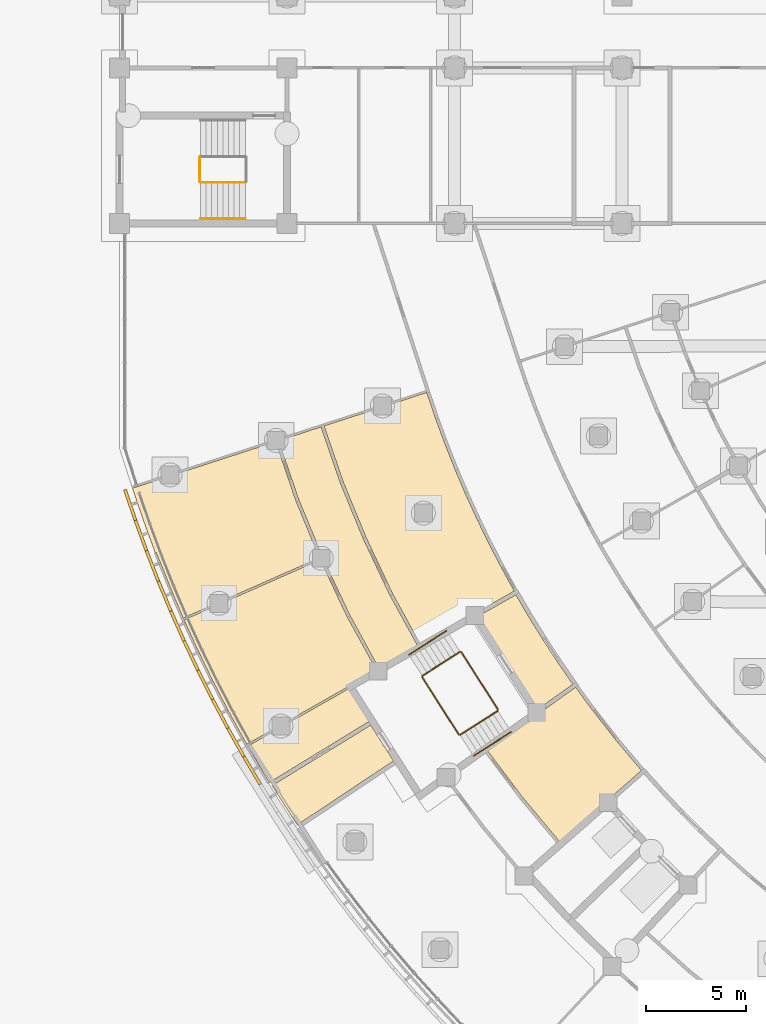
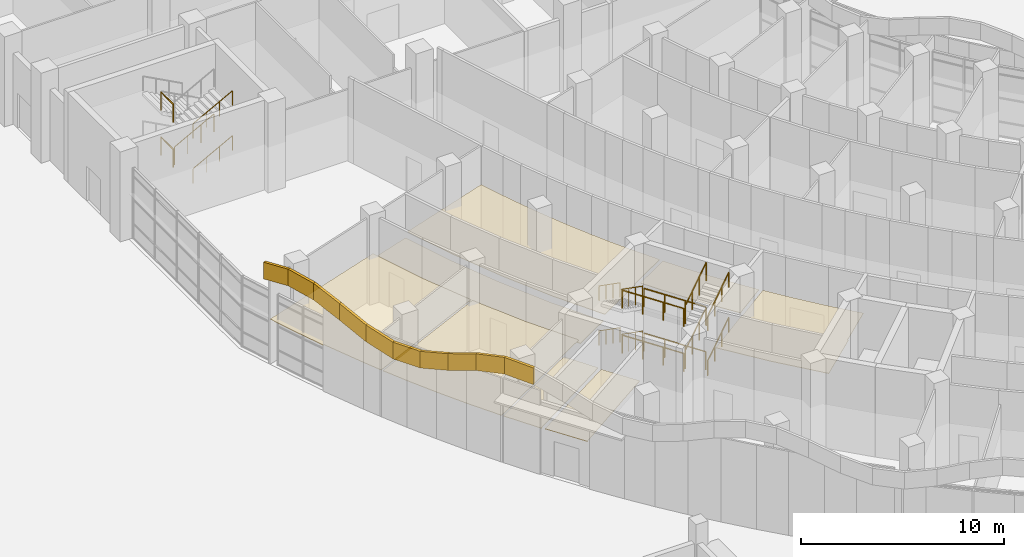
# One storey, part 125 of 146: 18 coverings, 17 railings.
"""IFC4 building model written with IfcOpenShell, lengths in metres."""

import ifcopenshell
import ifcopenshell.guid

model = None  # the IFC model being written
_history = None  # IfcOwnerHistory: only IFC2X3 demands one
_inside = {}  # id of a spatial element -> (the spatial element, [elements in it])
_under = {}  # id of a project, library or spatial element -> (it, [spatial elements below it])
_declared = {}  # id of a project -> (the project, [libraries it declares])
_typed = {}  # id of a type object -> (the type object, [elements of that type])
_made_of = {}  # id of a material, layer set ... -> (it, [elements and type objects made of it])


def new_model(schema):
    """Start an empty IFC model of exactly this schema.

    Asked for "IFC4X3", IfcOpenShell would pick the latest addendum, in which some entities
    have other attributes; the version numbers below select the first issue.
    IFC2X3 requires an IfcOwnerHistory on every rooted entity: one is made here for all.
    """
    global model, _history
    if schema == "IFC4X3":
        model = ifcopenshell.file(schema_version=(4, 3, 0, 0))
    else:
        model = ifcopenshell.file(schema=schema)
    _inside.clear()
    _under.clear()
    _declared.clear()
    _typed.clear()
    _made_of.clear()
    _history = None
    if model.schema == "IFC2X3":
        org = make("IfcOrganization", Name="unknown")
        user = make(
            "IfcPersonAndOrganization",
            ThePerson=make("IfcPerson", FamilyName="unknown"),
            TheOrganization=org,
        )
        app = make(
            "IfcApplication",
            ApplicationDeveloper=org,
            Version="unknown",
            ApplicationFullName="unknown",
            ApplicationIdentifier="unknown",
        )
        _history = make(
            "IfcOwnerHistory",
            OwningUser=user,
            OwningApplication=app,
            ChangeAction="ADDED",
            CreationDate=0,
        )
    return model


def make(cls, **values):
    """One entity of the class cls with the attributes given. An attribute that is None is left unset."""
    return model.create_entity(
        cls, **{name: value for name, value in values.items() if value is not None}
    )


def rooted(cls, **values):
    """An entity with a GlobalId (a new one), such as an element, a storey or a relation."""
    return make(cls, GlobalId=ifcopenshell.guid.new(), OwnerHistory=_history, **values)


def si_unit(unit_type, name, prefix=None):
    """IfcSIUnit, for example si_unit("LENGTHUNIT", "METRE", prefix="MILLI")."""
    return make("IfcSIUnit", UnitType=unit_type, Prefix=prefix, Name=name)


def assignment(units):
    """IfcUnitAssignment: the units of a project."""
    return None if units is None else make("IfcUnitAssignment", Units=units)


def point(xyz):
    """IfcCartesianPoint."""
    return None if xyz is None else make("IfcCartesianPoint", Coordinates=xyz)


def direction(xyz):
    """IfcDirection."""
    return None if xyz is None else make("IfcDirection", DirectionRatios=xyz)


def frame(location, z_axis=None, x_axis=None):
    """IfcAxis2Placement3D, a coordinate frame: its origin and axes. An axis left out is left unset."""
    return make(
        "IfcAxis2Placement3D",
        Location=point(location),
        Axis=direction(z_axis),
        RefDirection=direction(x_axis),
    )


def frame_2d(location, x_axis=None):
    """IfcAxis2Placement2D, a coordinate frame in the plane: its origin and x axis."""
    return make(
        "IfcAxis2Placement2D", Location=point(location), RefDirection=direction(x_axis)
    )


def origin():
    """The frame at (0, 0, 0) with its axes left unset."""
    return frame((0.0, 0.0, 0.0))


def origin_2d():
    """The frame at (0, 0) in the plane with its x axis left unset."""
    return frame_2d((0.0, 0.0))


def place(relative_to, where):
    """IfcLocalPlacement: puts the frame where relative to a parent placement (None: the world)."""
    return make(
        "IfcLocalPlacement", PlacementRelTo=relative_to, RelativePlacement=where
    )


def context(
    kind, dimensions, precision=None, world=None, true_north=None, identifier=None
):
    """IfcGeometricRepresentationContext, for example the 3D "Model" context."""
    return make(
        "IfcGeometricRepresentationContext",
        ContextIdentifier=identifier,
        ContextType=kind,
        CoordinateSpaceDimension=dimensions,
        Precision=precision,
        WorldCoordinateSystem=world,
        TrueNorth=true_north,
    )


def subcontext(parent, identifier, kind, view, scale=None):
    """IfcGeometricRepresentationSubContext, for example "Body" below "Model"."""
    return make(
        "IfcGeometricRepresentationSubContext",
        ContextIdentifier=identifier,
        ContextType=kind,
        ParentContext=parent,
        TargetScale=scale,
        TargetView=view,
    )


def project(units=None, contexts=None):
    """IfcProject with its units and contexts."""
    return rooted(
        "IfcProject",
        Name="project",
        RepresentationContexts=contexts,
        UnitsInContext=assignment(units),
    )


def spatial(cls, under=None, at=None, **own):
    """A site, building, storey or space (cls), placed at a placement, below another one or the project."""
    s = rooted(cls, ObjectPlacement=at, **own)
    if under is not None:
        _under.setdefault(under.id(), (under, []))[1].append(s)
    return s


def polyline(points):
    """IfcPolyline through the points."""
    return make("IfcPolyline", Points=[point(p) for p in points])


def profile(cls, at=None, kind="AREA", **sizes):
    """A parametric profile (cls). Its sizes go by their IFC names, for example OverallWidth=200.0."""
    return make(cls, ProfileType=kind, Position=at, **sizes)


def circle(**sizes):
    """IfcCircleProfileDef."""
    return profile("IfcCircleProfileDef", **sizes)


def outline(outer, holes=None, kind="AREA"):
    """IfcArbitraryClosedProfileDef: a profile drawn as a closed curve; with holes, ...WithVoids."""
    if holes is None:
        return make("IfcArbitraryClosedProfileDef", ProfileType=kind, OuterCurve=outer)
    return make(
        "IfcArbitraryProfileDefWithVoids",
        ProfileType=kind,
        OuterCurve=outer,
        InnerCurves=holes,
    )


def extrude(swept, where, along, depth):
    """IfcExtrudedAreaSolid: the profile swept, set in the frame where, extruded along a direction by depth."""
    return make(
        "IfcExtrudedAreaSolid",
        SweptArea=swept,
        Position=where,
        ExtrudedDirection=direction(along),
        Depth=depth,
    )


def shape(context_of_items, identifier, shape_type, items):
    """IfcShapeRepresentation: the items that make up one representation, for example the "Body"."""
    return make(
        "IfcShapeRepresentation",
        ContextOfItems=context_of_items,
        RepresentationIdentifier=identifier,
        RepresentationType=shape_type,
        Items=items,
    )


def material(Name=None, Category=None):
    """IfcMaterial."""
    return make("IfcMaterial", Name=Name, Category=Category)


def layer(
    of_material, thickness, ventilated=None, Name=None, Category=None, Priority=None
):
    """IfcMaterialLayer: one layer of a wall or slab, of a material (None: an air gap)."""
    return make(
        "IfcMaterialLayer",
        Material=of_material,
        LayerThickness=thickness,
        IsVentilated=ventilated,
        Name=Name,
        Category=Category,
        Priority=Priority,
    )


def layer_set(layers, Name=None):
    """IfcMaterialLayerSet."""
    return make("IfcMaterialLayerSet", MaterialLayers=layers, LayerSetName=Name)


def made_of(thing, what):
    """Note that an element or type object is made of a material, layer set ...; save() writes the relation."""
    if what is not None:
        _made_of.setdefault(what.id(), (what, []))[1].append(thing)
    return thing


def type_object(cls, material=None, **own):
    """A type object (cls), such as IfcWallType, which elements share."""
    return made_of(rooted(cls, **own), material)


def element(
    cls,
    number,
    at=None,
    inside=None,
    cuts=None,
    type_object=None,
    material=None,
    context=None,
    identifier="Body",
    shape_type=None,
    held_by="IfcProductDefinitionShape",
    body=None,
    shapes=None,
    **own,
):
    """One element of the class cls, such as IfcWall. Its Tag is "e" and its number.

    at: its placement. inside: the storey or other place that contains it. cuts: it is an
    opening in that element (IfcRelVoidsElement). A single representation is given by context,
    identifier, shape_type and body (its items); several are given by shapes. held_by: the class
    of the entity that holds the representations. save() writes the other relations.
    """
    e = rooted(cls, Tag="e%d" % number, ObjectPlacement=at, **own)
    if body is not None:
        shapes = [shape(context, identifier, shape_type, body)]
    if shapes is not None:
        e.Representation = make(held_by, Representations=shapes)
    if inside is not None:
        _inside.setdefault(inside.id(), (inside, []))[1].append(e)
    if cuts is not None:
        rooted(
            "IfcRelVoidsElement", RelatingBuildingElement=cuts, RelatedOpeningElement=e
        )
    if type_object is not None:
        _typed.setdefault(type_object.id(), (type_object, []))[1].append(e)
    return made_of(e, material)


def aggregate(whole, parts):
    """IfcRelAggregates: a whole, such as a stair, and the parts it consists of."""
    return rooted("IfcRelAggregates", RelatingObject=whole, RelatedObjects=parts)


def save(model, path):
    """Write the relations noted so far, then the file.

    IfcRelAggregates (storeys below a building ...), IfcRelContainedInSpatialStructure (elements
    in a storey), IfcRelDefinesByType, IfcRelAssociatesMaterial and IfcRelDeclares: one each for
    every whole, place, type object, material and project.
    """
    for whole, parts in _under.values():
        aggregate(whole, parts)
    for where, things in _inside.values():
        rooted(
            "IfcRelContainedInSpatialStructure",
            RelatedElements=things,
            RelatingStructure=where,
        )
    for kind, things in _typed.values():
        rooted("IfcRelDefinesByType", RelatedObjects=things, RelatingType=kind)
    for what, things in _made_of.values():
        rooted("IfcRelAssociatesMaterial", RelatedObjects=things, RelatingMaterial=what)
    for by, libraries in _declared.values():
        rooted("IfcRelDeclares", RelatingContext=by, RelatedDefinitions=libraries)
    model.write(path)


model = new_model("IFC4")

# Units and contexts
model_context = context("Model", 3, precision=1e-05, world=origin(), true_north=direction((0.0, 1.0)))
body_context = subcontext(model_context, "Body", "Model", "MODEL_VIEW")
ifc_project = project(units=[si_unit("LENGTHUNIT", "METRE"), si_unit("AREAUNIT", "SQUARE_METRE"), si_unit("VOLUMEUNIT", "CUBIC_METRE"), si_unit("PLANEANGLEUNIT", "RADIAN"), si_unit("MASSUNIT", "GRAM", prefix="KILO")], contexts=[model_context])

# Site, building, storey
site_placement = place(None, origin())
site = spatial("IfcSite", under=ifc_project, at=site_placement, CompositionType="ELEMENT")
building_placement = place(site_placement, origin())
building = spatial("IfcBuilding", under=site, at=building_placement, Name="Bougainvillea Quay General Hospital", CompositionType="ELEMENT")
storey_placement = place(building_placement, origin())
storey = spatial("IfcBuildingStorey", under=building, at=storey_placement, Name="L00", CompositionType="ELEMENT", Elevation=0.0)

# Coverings
ifc_material_1 = material(Name="Powder-coated aluminium fascia, red", Category="aluminium")
ifc_layer_1 = layer(ifc_material_1, 0.14990234375)
ifc_layer_set_1 = layer_set([ifc_layer_1], Name="Powder-coated aluminium fascia, red")
covering_type_1 = type_object("IfcCoveringType", Name="Aluminium wave fascia ribbon red 150x1000", PredefinedType="CLADDING", material=ifc_layer_set_1)
covering_1_placement = place(storey_placement, frame((42.341796875, 104.27294921875, 5.351806640625), z_axis=(-0.064326485516, 0.189792207855, 0.979714765173), x_axis=(0.313516289904, -0.928196422613, 0.200396948614)))
element("IfcCovering", 1, at=covering_1_placement, inside=storey, type_object=covering_type_1, Name="Fascia ribbon red a01 1", PredefinedType="CLADDING", context=body_context, shape_type="SweptSolid", body=[
    extrude(outline(polyline([(0.0, 0.0), (1.6602376930096736, 5.551115123125783e-17), (1.6618941438384893, -0.15001520818557562), (-0.00013183151657268632, -0.14993090059663047), (0.0, 0.0)])), origin(), (0.200396948614, 0.000204664875, 0.979714765173), 1.0),
])
covering_2_placement = place(storey_placement, frame((42.8623046875, 102.73193359375, 5.6845703125), z_axis=(0.024962656332, -0.066272330461, 0.99748927012), x_axis=(0.341089072489, -0.937359973238, -0.070813312302)))
element("IfcCovering", 2, at=covering_2_placement, inside=storey, type_object=covering_type_1, Name="Fascia ribbon red a01 2", PredefinedType="CLADDING", context=body_context, shape_type="SweptSolid", body=[
    extrude(outline(polyline([(0.0, 0.0), (1.6340987145070769, -1.146543797403421e-17), (1.6358762773760467, -0.150034492772957), (-0.0018599611300739412, -0.1500128341607131), (0.0, 0.0)])), origin(), (-0.070813312302, -0.000794227143, 0.99748927012), 1.0),
])
covering_3_placement = place(storey_placement, frame((43.419677734375, 101.2001953125, 5.568603515625), z_axis=(0.105694176169, -0.272877085057, 0.95622530691), x_axis=(0.347713538028, -0.89076521729, -0.292630523253)))
element("IfcCovering", 3, at=covering_3_placement, inside=storey, type_object=covering_type_1, Name="Fascia ribbon red a01 3", PredefinedType="CLADDING", context=body_context, shape_type="SweptSolid", body=[
    extrude(outline(polyline([(0.0, 0.0), (1.7047490920112938, -2.1412992906588713e-17), (1.7065941054073823, -0.15005252331079277), (-0.001763792299997453, -0.15003542528488284), (0.0, 0.0)])), origin(), (-0.292630523253, 0.00073436089, 0.95622530691), 1.0),
])
covering_4_placement = place(storey_placement, frame((44.012451171875, 99.681640625, 5.069091796875), z_axis=(0.132104819342, -0.316995708147, 0.939181578675), x_axis=(0.361643143973, -0.866761958445, -0.343420942591)))
element("IfcCovering", 4, at=covering_4_placement, inside=storey, type_object=covering_type_1, Name="Fascia ribbon red a01 4", PredefinedType="CLADDING", context=body_context, shape_type="SweptSolid", body=[
    extrude(outline(polyline([(0.0, 0.0), (1.7356108964737957, 7.552823384077145e-17), (1.7373992368998417, -0.15014731039906756), (-0.0019071299927030994, -0.1500517351953011), (0.0, 0.0)])), origin(), (-0.343420942591, 0.000135892587, 0.939181578675), 1.0),
])
covering_5_placement = place(storey_placement, frame((44.64013671875, 98.17724609375, 4.47265625), z_axis=(0.08551534589, -0.192452371612, 0.977573122727), x_axis=(0.397206632918, -0.893239108176, -0.210596263954)))
element("IfcCovering", 5, at=covering_5_placement, inside=storey, type_object=covering_type_1, Name="Fascia ribbon red a01 5", PredefinedType="CLADDING", context=body_context, shape_type="SweptSolid", body=[
    extrude(outline(polyline([(0.0, 0.0), (1.6675589399210036, 1.3095468177730385e-16), (1.6693261534924453, -0.14987297164337293), (-0.0018494239687484129, -0.15014495358128954), (0.0, 0.0)])), origin(), (-0.210596263954, 5.7707227e-05, 0.977573122727), 1.0),
])
covering_6_placement = place(storey_placement, frame((45.302490234375, 96.687744140625, 4.121337890625), z_axis=(-0.025608724825, 0.052242625791, 0.99830601584), x_axis=(0.426731323331, -0.902505373284, 0.058175844484)))
element("IfcCovering", 6, at=covering_6_placement, inside=storey, type_object=covering_type_1, Name="Fascia ribbon red a01 6", PredefinedType="CLADDING", context=body_context, shape_type="SweptSolid", body=[
    extrude(outline(polyline([(0.0, 0.0), (1.632823250350104, 1.7550522667109103e-17), (1.63458551962126, -0.14990570162973912), (-0.001741425464479734, -0.14987333735423705), (0.0, 0.0)])), origin(), (0.058175844484, 0.00081844692, 0.99830601584), 1.0),
])
covering_7_placement = place(storey_placement, frame((45.999267578125, 95.214111328125, 4.216552734375), z_axis=(-0.12833613537, 0.255740610955, 0.958189217361), x_axis=(0.429662925309, -0.856455689398, 0.286135322378)))
element("IfcCovering", 7, at=covering_7_placement, inside=storey, type_object=covering_type_1, Name="Fascia ribbon red a01 7", PredefinedType="CLADDING", context=body_context, shape_type="SweptSolid", body=[
    extrude(outline(polyline([(0.0, 0.0), (1.7012432093567753, -1.7929315801121226e-16), (1.703073487148887, -0.15001995044913616), (-0.0017967834392220432, -0.14990608509358191), (0.0, 0.0)])), origin(), (0.286135322378, 3.195427e-05, 0.958189217361), 1.0),
])
covering_8_placement = place(storey_placement, frame((46.730224609375, 93.757080078125, 4.703857421875), z_axis=(-0.161362461343, 0.305055173572, 0.938564594019), x_axis=(0.440027557436, -0.829023194456, 0.345103305911)))
element("IfcCovering", 8, at=covering_8_placement, inside=storey, type_object=covering_type_1, Name="Fascia ribbon red a01 8", PredefinedType="CLADDING", context=body_context, shape_type="SweptSolid", body=[
    extrude(outline(polyline([(0.0, 0.0), (1.7366368770736917, -4.830120678422922e-17), (1.7386931023726562, -0.14999933727331155), (-0.001748220736078656, -0.15002092448240595), (0.0, 0.0)])), origin(), (0.345103305911, -0.000459459742, 0.938564594019), 1.0),
])
covering_9_placement = place(storey_placement, frame((47.494384765625, 92.3173828125, 5.3037109375), z_axis=(-0.108635240604, 0.191649352173, 0.975432678513), x_axis=(0.47728040472, -0.850689848007, 0.220295705288)))
element("IfcCovering", 9, at=covering_9_placement, inside=storey, type_object=covering_type_1, Name="Fascia ribbon red a01 9", PredefinedType="CLADDING", context=body_context, shape_type="SweptSolid", body=[
    extrude(outline(polyline([(0.0, 0.0), (1.6711542946139233, 6.776263578034403e-18), (1.6729777574391649, -0.1499465153612663), (-0.0016458067365229154, -0.1500034155871311), (0.0, 0.0)])), origin(), (0.220295705288, 0.000944415948, 0.975432678513), 1.0),
])
covering_10_placement = place(storey_placement, frame((48.2919921875, 90.895751953125, 5.671875), z_axis=(0.023890335386, -0.038743004672, 0.998963578647), x_axis=(0.508827094759, -0.859664991959, -0.045509221476)))
element("IfcCovering", 10, at=covering_10_placement, inside=storey, type_object=covering_type_1, Name="Fascia ribbon red a01 10", PredefinedType="CLADDING", context=body_context, shape_type="SweptSolid", body=[
    extrude(outline(polyline([(0.0, 0.0), (1.6318336905273758, 1.7997756063259374e-17), (1.633566822286676, -0.14996983937615246), (-0.0016661062261237613, -0.14994834056445075), (0.0, 0.0)])), origin(), (-0.045509221476, -0.000824194468, 0.998963578647), 1.0),
])

# Railings
ifc_material_2 = material(Name="Stainless steel 304 balustrade", Category="steel")
railing_type_1 = type_object("IfcRailingType", Name="Stair guard 1100", PredefinedType="GUARDRAIL", material=ifc_material_2)
railing_1_placement = place(storey_placement, frame((46.010009765625, 120.89990234375, 1.35009765625)))
element("IfcRailing", 11, at=railing_1_placement, inside=storey, type_object=railing_type_1, Name="L00 ST-B1 stair guard 2", PredefinedType="GUARDRAIL", context=body_context, shape_type="SweptSolid", body=[
    extrude(circle(Radius=0.02392578125, at=origin_2d()), frame((0.0, 0.0, 1.076171875), z_axis=(0.0, -1.0, 0.0), x_axis=(1.0, 0.0, 0.0)), (0.0, 0.0, 1.0), 1.199951171875),
    extrude(circle(Radius=0.02099609375, at=origin_2d()), origin(), (0.0, 0.0, 1.0), 1.052001953125),
    extrude(circle(Radius=0.02099609375, at=origin_2d()), frame((0.0, -1.199951171875, 0.0)), (0.0, 0.0, 1.0), 1.052001953125),
])
railing_2_placement = place(storey_placement, frame((46.06005859375, 119.64990234375, 1.5)))
element("IfcRailing", 12, at=railing_2_placement, inside=storey, type_object=railing_type_1, Name="L00 ST-B1 stair guard 3", PredefinedType="GUARDRAIL", context=body_context, shape_type="SweptSolid", body=[
    extrude(circle(Radius=0.02392578125, at=origin_2d()), frame((0.0, 0.0, 1.076171875), z_axis=(0.881487111273, 0.0, 0.472208081951), x_axis=(0.0, 1.0, 0.0)), (0.0, 0.0, 1.0), 2.541259765625),
    extrude(circle(Radius=0.02099609375, at=origin_2d()), origin(), (0.0, 0.0, 1.0), 1.052001953125),
    extrude(circle(Radius=0.02099609375, at=origin_2d()), frame((0.74658203125, 0.0, 0.39990234375)), (0.0, 0.0, 1.0), 1.052001953125),
    extrude(circle(Radius=0.02099609375, at=origin_2d()), frame((1.493408203125, 0.0, 0.800048828125)), (0.0, 0.0, 1.0), 1.052001953125),
    extrude(circle(Radius=0.02099609375, at=origin_2d()), frame((2.239990234375, 0.0, 1.199951171875)), (0.0, 0.0, 1.0), 1.052001953125),
])
railing_3_placement = place(storey_placement, frame((46.010009765625, 120.89990234375, 4.050048828125)))
element("IfcRailing", 13, at=railing_3_placement, inside=storey, type_object=railing_type_1, Name="L00 ST-B1 stair guard 6", PredefinedType="GUARDRAIL", context=body_context, shape_type="SweptSolid", body=[
    extrude(circle(Radius=0.02392578125, at=origin_2d()), frame((0.0, 0.0, 1.076171875), z_axis=(0.0, -1.0, 0.0), x_axis=(1.0, 0.0, 0.0)), (0.0, 0.0, 1.0), 1.199951171875),
    extrude(circle(Radius=0.02099609375, at=origin_2d()), origin(), (0.0, 0.0, 1.0), 1.052001953125),
    extrude(circle(Radius=0.02099609375, at=origin_2d()), frame((0.0, -1.199951171875, 0.0)), (0.0, 0.0, 1.0), 1.052001953125),
])
railing_4_placement = place(storey_placement, frame((59.07275390625, 96.11279296875, 0.14990234375)))
element("IfcRailing", 14, at=railing_4_placement, inside=storey, type_object=railing_type_1, Name="L00 ST-W2 stair guard 1", PredefinedType="GUARDRAIL", context=body_context, shape_type="SweptSolid", body=[
    extrude(circle(Radius=0.02392578125, at=origin_2d()), frame((0.0, 0.0, 1.076171875), z_axis=(-0.743049412861, -0.474133546997, 0.472308108822), x_axis=(0.537911863106, -0.843001083944, 0.0)), (0.0, 0.0, 1.0), 2.541015625),
    extrude(circle(Radius=0.02099609375, at=origin_2d()), origin(), (0.0, 0.0, 1.0), 1.052001953125),
    extrude(circle(Radius=0.02099609375, at=origin_2d()), frame((-0.62939453125, -0.401611328125, 0.400146484375)), (0.0, 0.0, 1.0), 1.052001953125),
    extrude(circle(Radius=0.02099609375, at=origin_2d()), frame((-1.2587890625, -0.80322265625, 0.800048828125)), (0.0, 0.0, 1.0), 1.052001953125),
    extrude(circle(Radius=0.02099609375, at=origin_2d()), frame((-1.88818359375, -1.204833984375, 1.2001953125)), (0.0, 0.0, 1.0), 1.052001953125),
])
railing_5_placement = place(storey_placement, frame((57.169189453125, 94.8388671875, 1.35009765625)))
element("IfcRailing", 15, at=railing_5_placement, inside=storey, type_object=railing_type_1, Name="L00 ST-W2 stair guard 2", PredefinedType="GUARDRAIL", context=body_context, shape_type="SweptSolid", body=[
    extrude(circle(Radius=0.02392578125, at=origin_2d()), frame((0.0, 0.0, 1.076171875), z_axis=(0.537959949577, -0.842970398443, 0.0), x_axis=(0.842970398443, 0.537959949577, 0.0)), (0.0, 0.0, 1.0), 3.421875),
    extrude(circle(Radius=0.02099609375, at=origin_2d()), origin(), (0.0, 0.0, 1.0), 1.052001953125),
    extrude(circle(Radius=0.02099609375, at=origin_2d()), frame((0.613525390625, -0.96142578125, 0.0)), (0.0, 0.0, 1.0), 1.052001953125),
    extrude(circle(Radius=0.02099609375, at=origin_2d()), frame((1.227294921875, -1.923095703125, 0.0)), (0.0, 0.0, 1.0), 1.052001953125),
    extrude(circle(Radius=0.02099609375, at=origin_2d()), frame((1.8408203125, -2.884521484375, 0.0)), (0.0, 0.0, 1.0), 1.052001953125),
])
railing_6_placement = place(storey_placement, frame((59.078857421875, 91.93896484375, 1.5)))
element("IfcRailing", 16, at=railing_6_placement, inside=storey, type_object=railing_type_1, Name="L00 ST-W2 stair guard 3", PredefinedType="GUARDRAIL", context=body_context, shape_type="SweptSolid", body=[
    extrude(circle(Radius=0.02392578125, at=origin_2d()), frame((0.0, 0.0, 1.076171875), z_axis=(0.743126152003, 0.474121210102, 0.472199746231), x_axis=(-0.53786243984, 0.843032618473, 0.0)), (0.0, 0.0, 1.0), 2.541259765625),
    extrude(circle(Radius=0.02099609375, at=origin_2d()), origin(), (0.0, 0.0, 1.0), 1.052001953125),
    extrude(circle(Radius=0.02099609375, at=origin_2d()), frame((0.62939453125, 0.401611328125, 0.39990234375)), (0.0, 0.0, 1.0), 1.052001953125),
    extrude(circle(Radius=0.02099609375, at=origin_2d()), frame((1.259033203125, 0.80322265625, 0.800048828125)), (0.0, 0.0, 1.0), 1.052001953125),
    extrude(circle(Radius=0.02099609375, at=origin_2d()), frame((1.888427734375, 1.204833984375, 1.199951171875)), (0.0, 0.0, 1.0), 1.052001953125),
])
railing_7_placement = place(storey_placement, frame((59.141845703125, 96.09765625, 2.699951171875)))
element("IfcRailing", 17, at=railing_7_placement, inside=storey, type_object=railing_type_1, Name="L00 ST-W2 stair guard 4", PredefinedType="GUARDRAIL", context=body_context, shape_type="SweptSolid", body=[
    extrude(circle(Radius=0.02392578125, at=origin_2d()), frame((0.0, 0.0, 1.076171875), z_axis=(0.537876894364, -0.843023396181, 0.0), x_axis=(0.843023396181, 0.537876894364, 0.0)), (0.0, 0.0, 1.0), 3.421875),
    extrude(circle(Radius=0.02099609375, at=origin_2d()), origin(), (0.0, 0.0, 1.0), 1.052001953125),
    extrude(circle(Radius=0.02099609375, at=origin_2d()), frame((0.613525390625, -0.961669921875, 0.0)), (0.0, 0.0, 1.0), 1.052001953125),
    extrude(circle(Radius=0.02099609375, at=origin_2d()), frame((1.22705078125, -1.923095703125, 0.0)), (0.0, 0.0, 1.0), 1.052001953125),
    extrude(circle(Radius=0.02099609375, at=origin_2d()), frame((1.840576171875, -2.884765625, 0.0)), (0.0, 0.0, 1.0), 1.052001953125),
])
railing_8_placement = place(storey_placement, frame((59.07275390625, 96.11279296875, 2.85009765625)))
element("IfcRailing", 18, at=railing_8_placement, inside=storey, type_object=railing_type_1, Name="L00 ST-W2 stair guard 5", PredefinedType="GUARDRAIL", context=body_context, shape_type="SweptSolid", body=[
    extrude(circle(Radius=0.02392578125, at=origin_2d()), frame((0.0, 0.0, 1.076171875), z_axis=(-0.743083129325, -0.474155061187, 0.472233460128), x_axis=(0.537911863106, -0.843001083944, 0.0)), (0.0, 0.0, 1.0), 2.541015625),
    extrude(circle(Radius=0.02099609375, at=origin_2d()), origin(), (0.0, 0.0, 1.0), 1.052001953125),
    extrude(circle(Radius=0.02099609375, at=origin_2d()), frame((-0.62939453125, -0.401611328125, 0.39990234375)), (0.0, 0.0, 1.0), 1.052001953125),
    extrude(circle(Radius=0.02099609375, at=origin_2d()), frame((-1.2587890625, -0.80322265625, 0.800048828125)), (0.0, 0.0, 1.0), 1.052001953125),
    extrude(circle(Radius=0.02099609375, at=origin_2d()), frame((-1.88818359375, -1.204833984375, 1.199951171875)), (0.0, 0.0, 1.0), 1.052001953125),
])
railing_9_placement = place(storey_placement, frame((57.169189453125, 94.8388671875, 4.050048828125)))
element("IfcRailing", 19, at=railing_9_placement, inside=storey, type_object=railing_type_1, Name="L00 ST-W2 stair guard 6", PredefinedType="GUARDRAIL", context=body_context, shape_type="SweptSolid", body=[
    extrude(circle(Radius=0.02392578125, at=origin_2d()), frame((0.0, 0.0, 1.076171875), z_axis=(0.537959949577, -0.842970398443, 0.0), x_axis=(0.842970398443, 0.537959949577, 0.0)), (0.0, 0.0, 1.0), 3.421875),
    extrude(circle(Radius=0.02099609375, at=origin_2d()), origin(), (0.0, 0.0, 1.0), 1.052001953125),
    extrude(circle(Radius=0.02099609375, at=origin_2d()), frame((0.613525390625, -0.96142578125, 0.0)), (0.0, 0.0, 1.0), 1.052001953125),
    extrude(circle(Radius=0.02099609375, at=origin_2d()), frame((1.227294921875, -1.923095703125, 0.0)), (0.0, 0.0, 1.0), 1.052001953125),
    extrude(circle(Radius=0.02099609375, at=origin_2d()), frame((1.8408203125, -2.884521484375, 0.0)), (0.0, 0.0, 1.0), 1.052001953125),
])
railing_10_placement = place(storey_placement, frame((59.078857421875, 91.93896484375, 4.199951171875)))
element("IfcRailing", 20, at=railing_10_placement, inside=storey, type_object=railing_type_1, Name="L00 ST-W2 stair guard 7", PredefinedType="GUARDRAIL", context=body_context, shape_type="SweptSolid", body=[
    extrude(circle(Radius=0.02392578125, at=origin_2d()), frame((0.0, 0.0, 1.076171875), z_axis=(0.743126152003, 0.474121210102, 0.472199746231), x_axis=(-0.53786243984, 0.843032618473, 0.0)), (0.0, 0.0, 1.0), 2.541259765625),
    extrude(circle(Radius=0.02099609375, at=origin_2d()), origin(), (0.0, 0.0, 1.0), 1.052001953125),
    extrude(circle(Radius=0.02099609375, at=origin_2d()), frame((0.62939453125, 0.401611328125, 0.39990234375)), (0.0, 0.0, 1.0), 1.052001953125),
    extrude(circle(Radius=0.02099609375, at=origin_2d()), frame((1.259033203125, 0.80322265625, 0.800048828125)), (0.0, 0.0, 1.0), 1.052001953125),
    extrude(circle(Radius=0.02099609375, at=origin_2d()), frame((1.888427734375, 1.204833984375, 1.199951171875)), (0.0, 0.0, 1.0), 1.052001953125),
])
railing_11_placement = place(storey_placement, frame((59.141845703125, 96.09765625, 0.0)))
element("IfcRailing", 21, at=railing_11_placement, inside=storey, type_object=railing_type_1, Name="L00 ST-W2 stair guard 8", PredefinedType="GUARDRAIL", context=body_context, shape_type="SweptSolid", body=[
    extrude(circle(Radius=0.02392578125, at=origin_2d()), frame((0.0, 0.0, 1.076171875), z_axis=(0.537876894364, -0.843023396181, 0.0), x_axis=(0.843023396181, 0.537876894364, 0.0)), (0.0, 0.0, 1.0), 3.421875),
    extrude(circle(Radius=0.02099609375, at=origin_2d()), origin(), (0.0, 0.0, 1.0), 1.052001953125),
    extrude(circle(Radius=0.02099609375, at=origin_2d()), frame((0.613525390625, -0.961669921875, 0.0)), (0.0, 0.0, 1.0), 1.052001953125),
    extrude(circle(Radius=0.02099609375, at=origin_2d()), frame((1.22705078125, -1.923095703125, 0.0)), (0.0, 0.0, 1.0), 1.052001953125),
    extrude(circle(Radius=0.02099609375, at=origin_2d()), frame((1.840576171875, -2.884765625, 0.0)), (0.0, 0.0, 1.0), 1.052001953125),
])
ifc_material_3 = material(Name="Stainless steel 304 handrail", Category="steel")
railing_type_2 = type_object("IfcRailingType", Name="Stair handrail 900", PredefinedType="HANDRAIL", material=ifc_material_3)
for number, where, name in (
    (22, (46.06005859375, 117.824951171875, 1.5), "L00 ST-B1 stair handrail 2"),
    (23, (46.06005859375, 117.824951171875, 4.199951171875), "L00 ST-B1 stair handrail 4"),
):
    element("IfcRailing", number, at=place(storey_placement, frame(where)), inside=storey, type_object=railing_type_2, Name=name, PredefinedType="HANDRAIL", context=body_context, shape_type="SweptSolid", body=[
        extrude(circle(Radius=0.02392578125, at=origin_2d()), frame((0.0, 0.0, 0.8759765625), z_axis=(0.881487111273, 0.0, 0.472208081951), x_axis=(0.0, 1.0, 0.0)), (0.0, 0.0, 1.0), 2.541259765625),
        extrude(circle(Radius=0.02099609375, at=origin_2d()), origin(), (0.0, 0.0, 1.0), 0.851806640625),
        extrude(circle(Radius=0.02099609375, at=origin_2d()), frame((0.74658203125, 0.0, 0.39990234375)), (0.0, 0.0, 1.0), 0.851806640625),
        extrude(circle(Radius=0.02099609375, at=origin_2d()), frame((1.493408203125, 0.0, 0.800048828125)), (0.0, 0.0, 1.0), 0.851806640625),
        extrude(circle(Radius=0.02099609375, at=origin_2d()), frame((2.239990234375, 0.0, 1.199951171875)), (0.0, 0.0, 1.0), 0.851806640625),
    ])
railing_12_placement = place(storey_placement, frame((58.400390625, 97.16650390625, 0.14990234375)))
element("IfcRailing", 24, at=railing_12_placement, inside=storey, type_object=railing_type_2, Name="L00 ST-W2 stair handrail 1", PredefinedType="HANDRAIL", context=body_context, shape_type="SweptSolid", body=[
    extrude(circle(Radius=0.02392578125, at=origin_2d()), frame((0.0, 0.0, 0.8759765625), z_axis=(-0.743092438402, -0.474099700519, 0.472274392655), x_axis=(0.53786243984, -0.843032618473, 0.0)), (0.0, 0.0, 1.0), 2.541259765625),
    extrude(circle(Radius=0.02099609375, at=origin_2d()), origin(), (0.0, 0.0, 1.0), 0.851806640625),
    extrude(circle(Radius=0.02099609375, at=origin_2d()), frame((-0.62939453125, -0.401611328125, 0.400146484375)), (0.0, 0.0, 1.0), 0.851806640625),
    extrude(circle(Radius=0.02099609375, at=origin_2d()), frame((-1.259033203125, -0.80322265625, 0.800048828125)), (0.0, 0.0, 1.0), 0.851806640625),
    extrude(circle(Radius=0.02099609375, at=origin_2d()), frame((-1.888427734375, -1.204833984375, 1.2001953125)), (0.0, 0.0, 1.0), 0.851806640625),
])
railing_13_placement = place(storey_placement, frame((59.75146484375, 90.88525390625, 1.5)))
element("IfcRailing", 25, at=railing_13_placement, inside=storey, type_object=railing_type_2, Name="L00 ST-W2 stair handrail 2", PredefinedType="HANDRAIL", context=body_context, shape_type="SweptSolid", body=[
    extrude(circle(Radius=0.02392578125, at=origin_2d()), frame((0.0, 0.0, 0.8759765625), z_axis=(0.743083129325, 0.474155061187, 0.472233460128), x_axis=(-0.537911863106, 0.843001083944, 0.0)), (0.0, 0.0, 1.0), 2.541015625),
    extrude(circle(Radius=0.02099609375, at=origin_2d()), origin(), (0.0, 0.0, 1.0), 0.851806640625),
    extrude(circle(Radius=0.02099609375, at=origin_2d()), frame((0.62939453125, 0.401611328125, 0.39990234375)), (0.0, 0.0, 1.0), 0.851806640625),
    extrude(circle(Radius=0.02099609375, at=origin_2d()), frame((1.2587890625, 0.80322265625, 0.800048828125)), (0.0, 0.0, 1.0), 0.851806640625),
    extrude(circle(Radius=0.02099609375, at=origin_2d()), frame((1.88818359375, 1.204833984375, 1.199951171875)), (0.0, 0.0, 1.0), 0.851806640625),
])
railing_14_placement = place(storey_placement, frame((58.400390625, 97.16650390625, 2.85009765625)))
element("IfcRailing", 26, at=railing_14_placement, inside=storey, type_object=railing_type_2, Name="L00 ST-W2 stair handrail 3", PredefinedType="HANDRAIL", context=body_context, shape_type="SweptSolid", body=[
    extrude(circle(Radius=0.02392578125, at=origin_2d()), frame((0.0, 0.0, 0.8759765625), z_axis=(-0.743126152003, -0.474121210102, 0.472199746231), x_axis=(0.53786243984, -0.843032618473, 0.0)), (0.0, 0.0, 1.0), 2.541259765625),
    extrude(circle(Radius=0.02099609375, at=origin_2d()), origin(), (0.0, 0.0, 1.0), 0.851806640625),
    extrude(circle(Radius=0.02099609375, at=origin_2d()), frame((-0.62939453125, -0.401611328125, 0.39990234375)), (0.0, 0.0, 1.0), 0.851806640625),
    extrude(circle(Radius=0.02099609375, at=origin_2d()), frame((-1.259033203125, -0.80322265625, 0.800048828125)), (0.0, 0.0, 1.0), 0.851806640625),
    extrude(circle(Radius=0.02099609375, at=origin_2d()), frame((-1.888427734375, -1.204833984375, 1.199951171875)), (0.0, 0.0, 1.0), 0.851806640625),
])
railing_15_placement = place(storey_placement, frame((59.75146484375, 90.88525390625, 4.199951171875)))
element("IfcRailing", 27, at=railing_15_placement, inside=storey, type_object=railing_type_2, Name="L00 ST-W2 stair handrail 4", PredefinedType="HANDRAIL", context=body_context, shape_type="SweptSolid", body=[
    extrude(circle(Radius=0.02392578125, at=origin_2d()), frame((0.0, 0.0, 0.8759765625), z_axis=(0.743083129325, 0.474155061187, 0.472233460128), x_axis=(-0.537911863106, 0.843001083944, 0.0)), (0.0, 0.0, 1.0), 2.541015625),
    extrude(circle(Radius=0.02099609375, at=origin_2d()), origin(), (0.0, 0.0, 1.0), 0.851806640625),
    extrude(circle(Radius=0.02099609375, at=origin_2d()), frame((0.62939453125, 0.401611328125, 0.39990234375)), (0.0, 0.0, 1.0), 0.851806640625),
    extrude(circle(Radius=0.02099609375, at=origin_2d()), frame((1.2587890625, 0.80322265625, 0.800048828125)), (0.0, 0.0, 1.0), 0.851806640625),
    extrude(circle(Radius=0.02099609375, at=origin_2d()), frame((1.88818359375, 1.204833984375, 1.199951171875)), (0.0, 0.0, 1.0), 0.851806640625),
])

# Coverings
ifc_material_4 = material(Name="Mineral fibre ceiling tile")
ifc_layer_2 = layer(ifc_material_4, 0.030029296875)
ifc_layer_set_2 = layer_set([ifc_layer_2], Name="Mineral fibre ceiling tile")
covering_type_2 = type_object("IfcCoveringType", Name="Suspended ceiling mineral fibre tile", PredefinedType="CEILING", material=ifc_layer_set_2)
covering_11_placement = place(storey_placement, frame((0.0, 0.0, 2.699951171875)))
element("IfcCovering", 28, at=covering_11_placement, inside=storey, type_object=covering_type_2, Name="Ceiling Smoke-proof Vestibule ST-W2", PredefinedType="CEILING", context=body_context, shape_type="SweptSolid", body=[
    extrude(outline(polyline([(63.198486328125, 96.77294921875), (63.20068359375, 96.774169921875), (62.576416015625, 97.780517578125), (62.57421875, 97.779052734375), (62.5244140625, 97.8642578125), (62.472412109375, 97.9482421875), (62.474365234375, 97.94970703125), (61.876708984375, 98.97021484375), (59.96337890625, 97.883056640625), (60.6396484375, 96.728515625), (61.397216796875, 95.5068359375), (62.185791015625, 94.304931640625), (62.948486328125, 93.205078125), (64.740478515625, 94.480224609375), (64.06640625, 95.452880859375), (64.064208984375, 95.45166015625), (64.010009765625, 95.5341796875), (63.953857421875, 95.615234375), (63.9560546875, 95.61669921875), (63.306884765625, 96.607666015625), (63.3046875, 96.606201171875), (63.252685546875, 96.690185546875), (63.198486328125, 96.77294921875)])), origin(), (0.0, 0.0, 1.0), 0.030029296875),
])
covering_12_placement = place(storey_placement, frame((0.0, 0.0, 2.699951171875)))
element("IfcCovering", 29, at=covering_12_placement, inside=storey, type_object=covering_type_2, Name="Ceiling Stair Exit Passage ST-W2", PredefinedType="CEILING", context=body_context, shape_type="SweptSolid", body=[
    extrude(outline(polyline([(54.595458984375, 92.430419921875), (49.649658203125, 89.400146484375), (50.908447265625, 87.4267578125), (55.740966796875, 90.635009765625), (54.595458984375, 92.430419921875)])), origin(), (0.0, 0.0, 1.0), 0.030029296875),
])
covering_13_placement = place(storey_placement, frame((0.0, 0.0, 2.699951171875)))
element("IfcCovering", 30, at=covering_13_placement, inside=storey, type_object=covering_type_2, Name="Ceiling Cardiology and Respiratory Clinics", PredefinedType="CEILING", context=body_context, shape_type="SweptSolid", body=[
    extrude(outline(polyline([(54.3701171875, 92.8916015625), (54.319091796875, 92.97607421875), (54.3203125, 92.976806640625), (53.550048828125, 94.29296875), (48.4248046875, 91.377685546875), (49.506103515625, 89.549072265625), (49.54052734375, 89.571044921875), (49.54150390625, 89.569580078125), (54.53515625, 92.6279296875), (54.37109375, 92.892333984375), (54.3701171875, 92.8916015625)])), origin(), (0.0, 0.0, 1.0), 0.030029296875),
])
covering_14_placement = place(storey_placement, frame((0.0, 0.0, 2.699951171875)))
element("IfcCovering", 31, at=covering_14_placement, inside=storey, type_object=covering_type_2, Name="Ceiling Cardiology Waiting Hall 00W201", PredefinedType="CEILING", context=body_context, shape_type="SweptSolid", body=[
    extrude(outline(polyline([(62.89892578125, 92.92578125), (62.87109375, 92.9658203125), (60.408203125, 91.21240234375), (62.201904296875, 88.821533203125), (64.115478515625, 86.52587890625), (66.388427734375, 88.519287109375), (66.355712890625, 88.555419921875), (66.35595703125, 88.557373046875), (66.50439453125, 88.689208984375), (66.50537109375, 88.688232421875), (68.18017578125, 90.156982421875), (66.994384765625, 91.560546875), (66.9921875, 91.558837890625), (66.94677734375, 91.61669921875), (66.8994140625, 91.6728515625), (66.9013671875, 91.6748046875), (65.6787109375, 93.238525390625), (65.6767578125, 93.2373046875), (65.633056640625, 93.296875), (65.587646484375, 93.35498046875), (65.589599609375, 93.3564453125), (64.876953125, 94.331787109375), (63.0625, 93.040771484375), (63.063232421875, 93.039794921875), (62.900390625, 92.925537109375), (62.89892578125, 92.92578125)])), origin(), (0.0, 0.0, 1.0), 0.030029296875),
])
covering_15_placement = place(storey_placement, frame((0.0, 0.0, 2.39990234375)))
element("IfcCovering", 32, at=covering_15_placement, inside=storey, type_object=covering_type_2, Name="Ceiling Clinic Corridor 00W2", PredefinedType="CEILING", context=body_context, shape_type="SweptSolid", body=[
    extrude(outline(polyline([(55.572265625, 98.920166015625), (55.541015625, 98.986083984375), (55.506103515625, 99.0498046875), (55.510009765625, 99.052001953125), (54.271728515625, 101.675537109375), (54.26806640625, 101.674072265625), (54.240478515625, 101.74169921875), (54.209228515625, 101.807861328125), (54.21240234375, 101.809326171875), (53.108642578125, 104.4921875), (53.1044921875, 104.49072265625), (53.080810546875, 104.5595703125), (53.05322265625, 104.626708984375), (53.05712890625, 104.62841796875), (52.10791015625, 107.392578125), (49.969482421875, 106.697998046875), (50.980224609375, 103.75537109375), (52.1826171875, 100.833251953125), (53.53076171875, 97.97509765625), (55.023193359375, 95.245849609375), (56.978759765625, 96.35791015625), (55.576171875, 98.922119140625), (55.572265625, 98.920166015625)])), origin(), (0.0, 0.0, 1.0), 0.030029296875),
])
covering_16_placement = place(storey_placement, frame((0.0, 0.0, 2.699951171875)))
element("IfcCovering", 33, at=covering_16_placement, inside=storey, type_object=covering_type_2, Name="Ceiling Ophthalmology Waiting Hall 00W201", PredefinedType="CEILING", context=body_context, shape_type="SweptSolid", body=[
    extrude(outline(polyline([(61.076416015625, 100.474853515625), (61.074462890625, 100.47412109375), (61.040771484375, 100.539794921875), (61.005126953125, 100.604736328125), (61.0068359375, 100.605712890625), (60.462646484375, 101.66552734375), (60.461181640625, 101.664794921875), (60.39501953125, 101.79736328125), (60.396484375, 101.79833984375), (59.969482421875, 102.679443359375), (59.968017578125, 102.6787109375), (59.90478515625, 102.812744140625), (59.90625, 102.8134765625), (59.39404296875, 103.935302734375), (59.392333984375, 103.9345703125), (59.33251953125, 104.070068359375), (59.334228515625, 104.07080078125), (58.8505859375, 105.205322265625), (58.848876953125, 105.20458984375), (58.79248046875, 105.341552734375), (58.79443359375, 105.34228515625), (58.30908203125, 106.5703125), (58.307373046875, 106.56982421875), (58.254638671875, 106.708251953125), (58.25634765625, 106.708740234375), (57.86181640625, 107.784423828125), (57.860107421875, 107.783935546875), (57.810791015625, 107.923583984375), (57.8125, 107.92431640625), (57.4072265625, 109.1181640625), (52.25048828125, 107.43896484375), (53.22119140625, 104.612548828125), (54.377685546875, 101.80224609375), (55.6748046875, 99.053955078125), (57.109130859375, 96.431884765625), (59.7138671875, 97.913818359375), (59.689208984375, 97.955810546875), (59.689697265625, 97.95751953125), (59.86181640625, 98.056884765625), (59.8623046875, 98.0556640625), (61.799560546875, 99.15673828125), (61.076416015625, 100.474853515625)])), origin(), (0.0, 0.0, 1.0), 0.030029296875),
])
covering_17_placement = place(storey_placement, frame((0.0, 0.0, 2.699951171875)))
element("IfcCovering", 34, at=covering_17_placement, inside=storey, type_object=covering_type_2, Name="Ceiling Eye Examination Room 00W211", PredefinedType="CEILING", context=body_context, shape_type="SweptSolid", body=[
    extrude(outline(polyline([(48.375244140625, 91.464599609375), (54.892822265625, 95.171875), (53.43212890625, 97.843017578125), (53.42822265625, 97.841064453125), (53.397216796875, 97.906982421875), (53.3623046875, 97.970703125), (53.365966796875, 97.972900390625), (52.07666015625, 100.70654296875), (52.0732421875, 100.705078125), (52.064453125, 100.7265625), (45.2294921875, 97.709716796875), (45.88720703125, 96.26220703125), (46.650634765625, 94.6904296875), (47.4521484375, 93.137451171875), (48.375244140625, 91.464599609375)])), origin(), (0.0, 0.0, 1.0), 0.030029296875),
])
covering_18_placement = place(storey_placement, frame((0.0, 0.0, 2.699951171875)))
element("IfcCovering", 35, at=covering_18_placement, inside=storey, type_object=covering_type_2, Name="Ceiling Laser Treatment Room 00W212", PredefinedType="CEILING", context=body_context, shape_type="SweptSolid", body=[
    extrude(outline(polyline([(43.791015625, 101.069091796875), (43.83740234375, 101.087646484375), (44.773193359375, 98.770263671875), (45.18896484375, 97.801025390625), (52.02392578125, 100.81787109375), (52.01416015625, 100.8388671875), (52.017578125, 100.84033203125), (50.867431640625, 103.635009765625), (50.863525390625, 103.6337890625), (50.83984375, 103.70263671875), (50.81201171875, 103.769775390625), (50.816162109375, 103.771484375), (49.826904296875, 106.651611328125), (42.64404296875, 104.316650390625), (43.18798828125, 102.7099609375), (43.791015625, 101.069091796875)])), origin(), (0.0, 0.0, 1.0), 0.030029296875),
])

save(model, "model.ifc")
